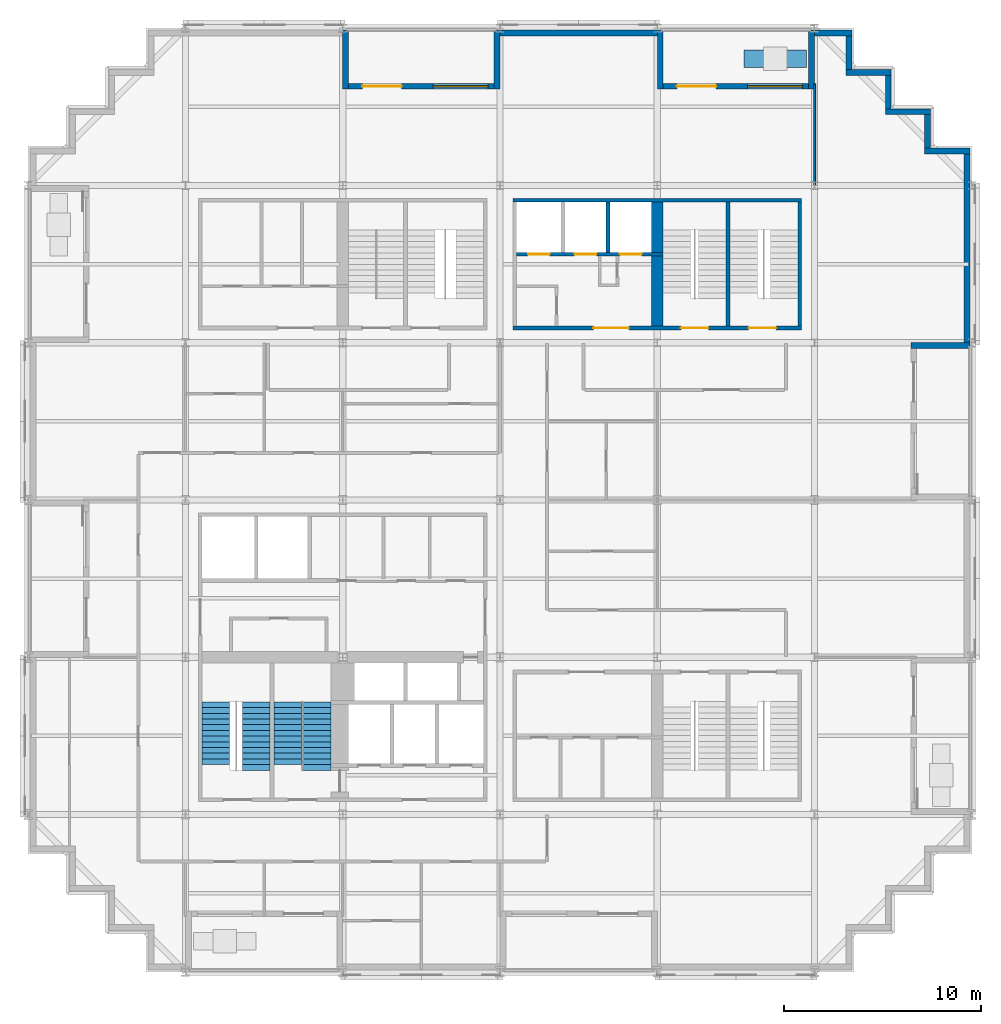
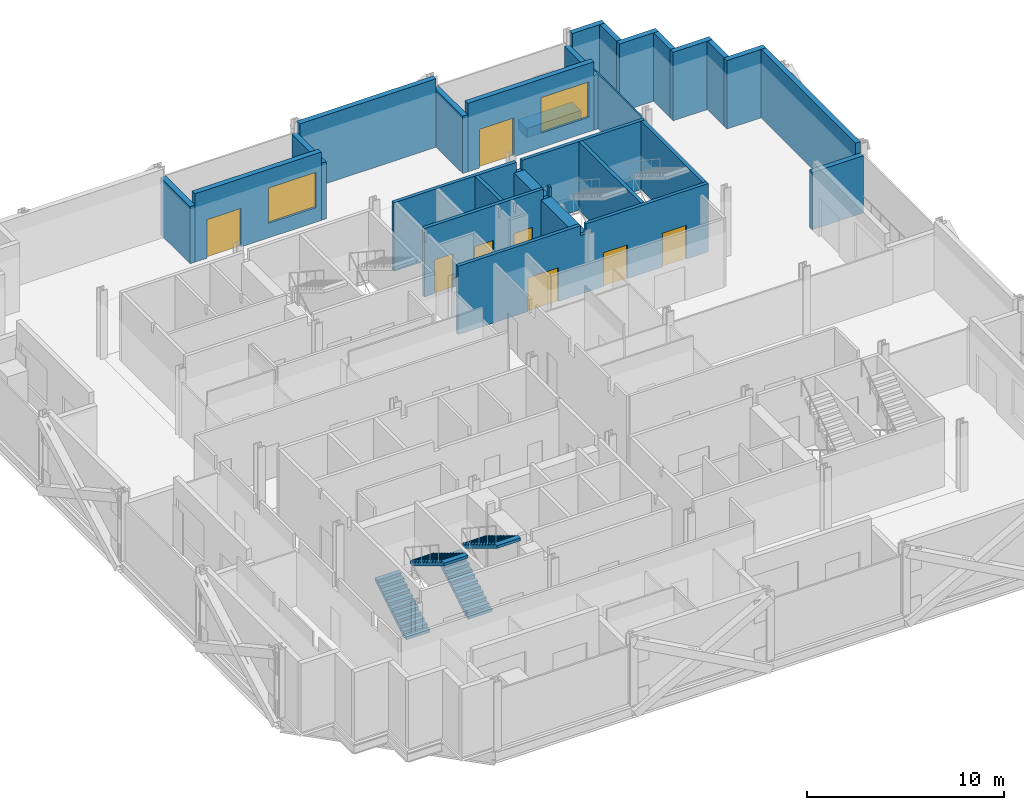
# One storey, part 9 of 13: 26 walls, 8 doors, 4 stair flights, 2 windows, 10 openings, 2 elements without a shape of their own.
"""IFC4 building model written with IfcOpenShell, lengths in metres."""

from ifc_helpers import new_model, si_unit, direction, frame, frame_2d, origin, place, context, subcontext, project, spatial, polyline, rectangle, outline, extrude, material, layer, layer_set, type_object, element, fill, aggregate, save


model = new_model("IFC4")

# Units and contexts
model_context = context("Model", 3, precision=1e-05, world=origin(), true_north=direction((0.0, 1.0)))
body_context = subcontext(model_context, "Body", "Model", "MODEL_VIEW")
ifc_project = project(units=[si_unit("LENGTHUNIT", "METRE"), si_unit("AREAUNIT", "SQUARE_METRE"), si_unit("VOLUMEUNIT", "CUBIC_METRE"), si_unit("PLANEANGLEUNIT", "RADIAN"), si_unit("MASSUNIT", "GRAM", prefix="KILO")], contexts=[model_context])

# Site, building, storey
site_placement = place(None, origin())
site = spatial("IfcSite", under=ifc_project, at=site_placement, CompositionType="ELEMENT")
building_placement = place(site_placement, origin())
building = spatial("IfcBuilding", under=site, at=building_placement, Name="Immortelle Media Tower", CompositionType="ELEMENT")
storey_placement = place(building_placement, frame((0.0, 0.0, 34.800048828125)))
storey = spatial("IfcBuildingStorey", under=building, at=storey_placement, Name="L04", CompositionType="ELEMENT", Elevation=34.800048828125)

# Wall, openings, doors
ifc_material_1 = material(Name="Fire-rated gypsum board", Category="gypsum")
ifc_layer_1 = layer(ifc_material_1, 0.03759765625)
ifc_material_2 = material(Name="Steel ASTM A653 SS Gr 50 stud frame with mineral wool", Category="steel")
ifc_layer_2 = layer(ifc_material_2, 0.125)
ifc_layer_3 = layer(ifc_material_1, 0.03759765625)
ifc_layer_set_1 = layer_set([ifc_layer_1, ifc_layer_2, ifc_layer_3], Name="Steel ASTM A653 SS Gr 50 stud frame with mineral wool")
wall_type_1 = type_object("IfcWallType", Name="Core shaft wall 200", PredefinedType="PARTITIONING", material=ifc_layer_set_1)
wall_1_placement = place(storey_placement, frame((24.85009765625, 36.5, 0.0), z_axis=(0.0, 0.0, 1.0), x_axis=(1.0, 0.0, 0.0)))
wall_1 = element("IfcWall", 1, at=wall_1_placement, inside=storey, type_object=wall_type_1, Name="Core shaft wall NE", PredefinedType="PARTITIONING", context=body_context, shape_type="SweptSolid", body=[
    extrude(outline(polyline([(0.0, 0.0), (7.449951171875, 0.0), (7.449951171875, 4.25), (7.31689453125, 4.25), (7.31591796875, 3.6318359375), (6.98388671875, 3.6318359375), (6.98291015625, 4.25), (0.0, 4.25), (0.0, 0.0)])), frame((0.0, 0.10009765625, 0.0), z_axis=(0.0, -1.0, 0.0), x_axis=(1.0, 0.0, 0.0)), (0.0, 0.0, 1.0), 0.199951171875),
])
opening_1_placement = place(wall_1_placement, frame((0.574951171875, 0.0, 0.0)))
opening_1 = element("IfcOpeningElement", 2, at=opening_1_placement, cuts=wall_1, Name="Opening LD", PredefinedType="OPENING", context=body_context, shape_type="SweptSolid", body=[
    extrude(rectangle(XDim=1.10009765625, YDim=2.10009765625, at=frame_2d((0.550048828125, 1.050048828125))), frame((0.0, 0.10986328125, 0.0), z_axis=(0.0, -1.0, 0.0), x_axis=(1.0, 0.0, 0.0)), (0.0, 0.0, 1.0), 0.219970703125),
])
opening_2_placement = place(wall_1_placement, frame((2.949951171875, 0.0, 0.0)))
opening_2 = element("IfcOpeningElement", 3, at=opening_2_placement, cuts=wall_1, Name="Opening LD", PredefinedType="OPENING", context=body_context, shape_type="SweptSolid", body=[
    extrude(rectangle(XDim=1.10009765625, YDim=2.10009765625, at=frame_2d((0.550048828125, 1.050048828125))), frame((0.0, 0.10986328125, 0.0), z_axis=(0.0, -1.0, 0.0), x_axis=(1.0, 0.0, 0.0)), (0.0, 0.0, 1.0), 0.219970703125),
])
opening_3_placement = place(wall_1_placement, frame((5.25, 0.0, 0.0)))
opening_3 = element("IfcOpeningElement", 4, at=opening_3_placement, cuts=wall_1, Name="Opening LD", PredefinedType="OPENING", context=body_context, shape_type="SweptSolid", body=[
    extrude(rectangle(XDim=1.10009765625, YDim=2.10009765625, at=frame_2d((0.550048828125, 1.050048828125))), frame((0.0, 0.10986328125, 0.0), z_axis=(0.0, -1.0, 0.0), x_axis=(1.0, 0.0, 0.0)), (0.0, 0.0, 1.0), 0.219970703125),
])
ifc_material_3 = material(Name="Stainless steel AISI 304", Category="steel")
door_type_1 = type_object("IfcDoorType", Name="Landing door 1100 x 2100", OperationType="SLIDING_TO_LEFT", PredefinedType="NOTDEFINED", material=ifc_material_3)
door_1_placement = place(opening_1_placement, origin())
door_1 = element("IfcDoor", 5, at=door_1_placement, inside=storey, type_object=door_type_1, Name="Landing door LR1 L04", OperationType="SLIDING_TO_LEFT", OverallHeight=2.10009765625, OverallWidth=1.10009765625, PredefinedType="NOTDEFINED", context=body_context, shape_type="SweptSolid", body=[
    extrude(rectangle(XDim=1.10009765625, YDim=2.10009765625, at=frame_2d((0.550048828125, 1.050048828125))), frame((0.0, 0.02490234375, 0.0), z_axis=(0.0, -1.0, 0.0), x_axis=(1.0, 0.0, 0.0)), (0.0, 0.0, 1.0), 0.050048828125),
])
fill(opening_1, door_1)
door_2_placement = place(opening_2_placement, origin())
door_2 = element("IfcDoor", 6, at=door_2_placement, inside=storey, type_object=door_type_1, Name="Landing door LR2 L04", OperationType="SLIDING_TO_LEFT", OverallHeight=2.10009765625, OverallWidth=1.10009765625, PredefinedType="NOTDEFINED", context=body_context, shape_type="SweptSolid", body=[
    extrude(rectangle(XDim=1.10009765625, YDim=2.10009765625, at=frame_2d((0.550048828125, 1.050048828125))), frame((0.0, 0.02490234375, 0.0), z_axis=(0.0, -1.0, 0.0), x_axis=(1.0, 0.0, 0.0)), (0.0, 0.0, 1.0), 0.050048828125),
])
fill(opening_2, door_2)
door_3_placement = place(opening_3_placement, origin())
door_3 = element("IfcDoor", 7, at=door_3_placement, inside=storey, type_object=door_type_1, Name="Landing door LR3 L04", OperationType="SLIDING_TO_LEFT", OverallHeight=2.10009765625, OverallWidth=1.10009765625, PredefinedType="NOTDEFINED", context=body_context, shape_type="SweptSolid", body=[
    extrude(rectangle(XDim=1.10009765625, YDim=2.10009765625, at=frame_2d((0.550048828125, 1.050048828125))), frame((0.0, 0.02490234375, 0.0), z_axis=(0.0, -1.0, 0.0), x_axis=(1.0, 0.0, 0.0)), (0.0, 0.0, 1.0), 0.050048828125),
])
fill(opening_3, door_3)

# Walls
wall_2_placement = place(storey_placement, frame((29.5, 36.60009765625, 0.0), z_axis=(0.0, 0.0, 1.0), x_axis=(0.0, 1.0, 0.0)))
element("IfcWall", 8, at=wall_2_placement, inside=storey, type_object=wall_type_1, Name="Core shaft wall NE", PredefinedType="PARTITIONING", context=body_context, shape_type="SweptSolid", body=[
    extrude(rectangle(XDim=2.5498046875, YDim=0.199951171875, at=frame_2d((1.27490234375, 0.0))), origin(), (0.0, 0.0, 1.0), 4.25),
])
ifc_material_4 = material(Name="Pale aluminium cladding panel", Category="aluminium")
ifc_layer_4 = layer(ifc_material_4, 0.030029296875)
ifc_layer_5 = layer(ifc_material_2, 0.257568359375)
ifc_material_5 = material(Name="Moisture-resistant gypsum board", Category="gypsum")
ifc_layer_6 = layer(ifc_material_5, 0.012451171875)
ifc_layer_set_2 = layer_set([ifc_layer_4, ifc_layer_5, ifc_layer_6], Name="Steel ASTM A653 SS Gr 50 stud frame with mineral wool")
wall_type_2 = type_object("IfcWallType", Name="Facade wall 300", PredefinedType="SOLIDWALL", material=ifc_layer_set_2)
wall_3_placement = place(storey_placement, frame((47.89990234375, 31.85009765625, 0.0), z_axis=(0.0, 0.0, 1.0), x_axis=(-1.0, 0.0, 0.0)))
element("IfcWall", 9, at=wall_3_placement, inside=storey, type_object=wall_type_2, Name="Loggia cheek wall L04 E", PredefinedType="SOLIDWALL", context=body_context, shape_type="SweptSolid", body=[
    extrude(rectangle(XDim=3.0, YDim=0.300048828125, at=frame_2d((1.5, 0.0))), origin(), (0.0, 0.0, 1.0), 3.552978515625),
])
wall_4_placement = place(storey_placement, frame((47.75, 32.0, 0.0), z_axis=(0.0, 0.0, 1.0), x_axis=(0.0, 1.0, 0.0)))
element("IfcWall", 10, at=wall_4_placement, inside=storey, type_object=wall_type_2, Name="Facade wall L04 E14", PredefinedType="SOLIDWALL", context=body_context, shape_type="SweptSolid", body=[
    extrude(rectangle(XDim=9.60009765625, YDim=0.300048828125, at=frame_2d((4.800048828125, 0.0))), origin(), (0.0, 0.0, 1.0), 4.25),
])
wall_5_placement = place(storey_placement, frame((47.89990234375, 41.75, 0.0), z_axis=(0.0, 0.0, 1.0), x_axis=(-1.0, 0.0, 0.0)))
element("IfcWall", 11, at=wall_5_placement, inside=storey, type_object=wall_type_2, Name="Facade wall L04 N15", PredefinedType="SOLIDWALL", context=body_context, shape_type="SweptSolid", body=[
    extrude(rectangle(XDim=2.2998046875, YDim=0.300048828125, at=frame_2d((1.14990234375, 0.0))), origin(), (0.0, 0.0, 1.0), 4.25),
])
wall_6_placement = place(storey_placement, frame((45.75, 41.89990234375, 0.0), z_axis=(0.0, 0.0, 1.0), x_axis=(0.0, 1.0, 0.0)))
element("IfcWall", 12, at=wall_6_placement, inside=storey, type_object=wall_type_2, Name="Facade wall L04 E16", PredefinedType="SOLIDWALL", context=body_context, shape_type="SweptSolid", body=[
    extrude(rectangle(XDim=1.7001953125, YDim=0.300048828125, at=frame_2d((0.85009765625, 0.0))), origin(), (0.0, 0.0, 1.0), 4.25),
])
wall_7_placement = place(storey_placement, frame((45.89990234375, 43.75, 0.0), z_axis=(0.0, 0.0, 1.0), x_axis=(-1.0, 0.0, 0.0)))
element("IfcWall", 13, at=wall_7_placement, inside=storey, type_object=wall_type_2, Name="Facade wall L04 N17", PredefinedType="SOLIDWALL", context=body_context, shape_type="SweptSolid", body=[
    extrude(rectangle(XDim=2.2998046875, YDim=0.300048828125, at=frame_2d((1.14990234375, 0.0))), origin(), (0.0, 0.0, 1.0), 4.25),
])
wall_8_placement = place(storey_placement, frame((43.75, 43.89990234375, 0.0), z_axis=(0.0, 0.0, 1.0), x_axis=(0.0, 1.0, 0.0)))
element("IfcWall", 14, at=wall_8_placement, inside=storey, type_object=wall_type_2, Name="Facade wall L04 E18", PredefinedType="SOLIDWALL", context=body_context, shape_type="SweptSolid", body=[
    extrude(rectangle(XDim=1.7001953125, YDim=0.300048828125, at=frame_2d((0.85009765625, 0.0))), origin(), (0.0, 0.0, 1.0), 4.25),
])
wall_9_placement = place(storey_placement, frame((43.89990234375, 45.75, 0.0), z_axis=(0.0, 0.0, 1.0), x_axis=(-1.0, 0.0, 0.0)))
element("IfcWall", 15, at=wall_9_placement, inside=storey, type_object=wall_type_2, Name="Facade wall L04 N19", PredefinedType="SOLIDWALL", context=body_context, shape_type="SweptSolid", body=[
    extrude(rectangle(XDim=2.2998046875, YDim=0.300048828125, at=frame_2d((1.14990234375, 0.0))), origin(), (0.0, 0.0, 1.0), 4.25),
])
wall_10_placement = place(storey_placement, frame((41.75, 45.89990234375, 0.0), z_axis=(0.0, 0.0, 1.0), x_axis=(0.0, 1.0, 0.0)))
element("IfcWall", 16, at=wall_10_placement, inside=storey, type_object=wall_type_2, Name="Facade wall L04 E20", PredefinedType="SOLIDWALL", context=body_context, shape_type="SweptSolid", body=[
    extrude(rectangle(XDim=1.7001953125, YDim=0.300048828125, at=frame_2d((0.85009765625, 0.0))), origin(), (0.0, 0.0, 1.0), 4.25),
])
wall_11_placement = place(storey_placement, frame((41.89990234375, 47.75, 0.0), z_axis=(0.0, 0.0, 1.0), x_axis=(-1.0, 0.0, 0.0)))
element("IfcWall", 17, at=wall_11_placement, inside=storey, type_object=wall_type_2, Name="Facade wall L04 N21", PredefinedType="SOLIDWALL", context=body_context, shape_type="SweptSolid", body=[
    extrude(rectangle(XDim=1.89990234375, YDim=0.300048828125, at=frame_2d((0.949951171875, 0.0))), origin(), (0.0, 0.0, 1.0), 4.25),
])

# Wall, openings, door, window
wall_12_placement = place(storey_placement, frame((39.699951171875, 45.050048828125, 0.0), z_axis=(0.0, 0.0, 1.0), x_axis=(-1.0, 0.0, 0.0)))
wall_12 = element("IfcWall", 18, at=wall_12_placement, inside=storey, type_object=wall_type_2, Name="Loggia wall L04 N21", PredefinedType="SOLIDWALL", context=body_context, shape_type="SweptSolid", body=[
    extrude(rectangle(XDim=7.39990234375, YDim=0.300048828125, at=frame_2d((3.699951171875, 0.0))), origin(), (0.0, 0.0, 1.0), 4.25),
])
opening_4_placement = place(wall_12_placement, frame((0.300048828125, 0.0, 0.89990234375)))
opening_4 = element("IfcOpeningElement", 19, at=opening_4_placement, cuts=wall_12, Name="Opening W1", PredefinedType="OPENING", context=body_context, shape_type="SweptSolid", body=[
    extrude(rectangle(XDim=2.800048828125, YDim=2.199951171875, at=frame_2d((1.39990234375, 1.10009765625))), frame((0.0, 0.159912109375, 0.0), z_axis=(0.0, -1.0, 0.0), x_axis=(1.0, 0.0, 0.0)), (0.0, 0.0, 1.0), 0.320068359375),
])
opening_5_placement = place(wall_12_placement, frame((4.699951171875, 0.0, 0.0)))
opening_5 = element("IfcOpeningElement", 20, at=opening_5_placement, cuts=wall_12, Name="Opening N1-E007", PredefinedType="OPENING", context=body_context, shape_type="SweptSolid", body=[
    extrude(rectangle(XDim=2.0, YDim=2.39990234375, at=frame_2d((1.0, 1.199951171875))), frame((0.0, 0.159912109375, 0.0), z_axis=(0.0, -1.0, 0.0), x_axis=(1.0, 0.0, 0.0)), (0.0, 0.0, 1.0), 0.320068359375),
])
ifc_material_6 = material(Name="Aluminium frame, glazed leaves", Category="aluminium")
door_type_2 = type_object("IfcDoorType", Name="Loggia door 2000 x 2400", OperationType="DOUBLE_DOOR_SINGLE_SWING", PredefinedType="DOOR", material=ifc_material_6)
door_4_placement = place(opening_5_placement, origin())
door_4 = element("IfcDoor", 21, at=door_4_placement, inside=storey, type_object=door_type_2, Name="Door N1-E007", OperationType="DOUBLE_DOOR_SINGLE_SWING", OverallHeight=2.39990234375, OverallWidth=2.0, PredefinedType="DOOR", context=body_context, shape_type="SweptSolid", body=[
    extrude(rectangle(XDim=2.0, YDim=2.39990234375, at=frame_2d((1.0, 1.199951171875))), frame((0.0, 0.02490234375, 0.0), z_axis=(0.0, -1.0, 0.0), x_axis=(1.0, 0.0, 0.0)), (0.0, 0.0, 1.0), 0.050048828125),
])
fill(opening_5, door_4)
ifc_material_7 = material(Name="Aluminium frame", Category="aluminium")
window_type = type_object("IfcWindowType", Name="Window 2800 x 2200", PartitioningType="SINGLE_PANEL", PredefinedType="WINDOW", material=ifc_material_7)
window_1_placement = place(opening_4_placement, origin())
window_1 = element("IfcWindow", 22, at=window_1_placement, inside=storey, type_object=window_type, Name="Window L04 L04-R21-B0", OverallHeight=2.199951171875, OverallWidth=2.800048828125, PartitioningType="SINGLE_PANEL", PredefinedType="WINDOW", context=body_context, shape_type="SweptSolid", body=[
    extrude(rectangle(XDim=2.800048828125, YDim=2.199951171875, at=frame_2d((1.39990234375, 1.10009765625))), frame((0.0, 0.030029296875, 0.0), z_axis=(0.0, -1.0, 0.0), x_axis=(1.0, 0.0, 0.0)), (0.0, 0.0, 1.0), 0.06005859375),
])
fill(opening_4, window_1)

# Walls
wall_13_placement = place(storey_placement, frame((39.85009765625, 47.89990234375, 0.0), z_axis=(0.0, 0.0, 1.0), x_axis=(0.0, -1.0, 0.0)))
element("IfcWall", 23, at=wall_13_placement, inside=storey, type_object=wall_type_2, Name="Loggia cheek wall L04 N", PredefinedType="SOLIDWALL", context=body_context, shape_type="SweptSolid", body=[
    extrude(rectangle(XDim=3.0, YDim=0.300048828125, at=frame_2d((1.5, 0.0))), origin(), (0.0, 0.0, 1.0), 3.389892578125),
])
wall_14_placement = place(storey_placement, frame((32.14990234375, 47.89990234375, 0.0), z_axis=(0.0, 0.0, 1.0), x_axis=(0.0, -1.0, 0.0)))
element("IfcWall", 24, at=wall_14_placement, inside=storey, type_object=wall_type_2, Name="Loggia cheek wall L04 N", PredefinedType="SOLIDWALL", context=body_context, shape_type="SweptSolid", body=[
    extrude(rectangle(XDim=3.0, YDim=0.300048828125, at=frame_2d((1.5, 0.0))), origin(), (0.0, 0.0, 1.0), 3.552978515625),
])
wall_15_placement = place(storey_placement, frame((32.0, 47.75, 0.0), z_axis=(0.0, 0.0, 1.0), x_axis=(-1.0, 0.0, 0.0)))
element("IfcWall", 25, at=wall_15_placement, inside=storey, type_object=wall_type_2, Name="Facade wall L04 N21", PredefinedType="SOLIDWALL", context=body_context, shape_type="SweptSolid", body=[
    extrude(rectangle(XDim=8.0, YDim=0.300048828125, at=frame_2d((4.0, 0.0))), origin(), (0.0, 0.0, 1.0), 4.25),
])

# Wall, openings, door, window
wall_16_placement = place(storey_placement, frame((23.699951171875, 45.050048828125, 0.0), z_axis=(0.0, 0.0, 1.0), x_axis=(-1.0, 0.0, 0.0)))
wall_16 = element("IfcWall", 26, at=wall_16_placement, inside=storey, type_object=wall_type_2, Name="Loggia wall L04 N21", PredefinedType="SOLIDWALL", context=body_context, shape_type="SweptSolid", body=[
    extrude(rectangle(XDim=7.39990234375, YDim=0.300048828125, at=frame_2d((3.699951171875, 0.0))), origin(), (0.0, 0.0, 1.0), 4.25),
])
opening_6_placement = place(wall_16_placement, frame((0.300048828125, 0.0, 0.89990234375)))
opening_6 = element("IfcOpeningElement", 27, at=opening_6_placement, cuts=wall_16, Name="Opening W1", PredefinedType="OPENING", context=body_context, shape_type="SweptSolid", body=[
    extrude(rectangle(XDim=2.800048828125, YDim=2.199951171875, at=frame_2d((1.39990234375, 1.10009765625))), frame((0.0, 0.159912109375, 0.0), z_axis=(0.0, -1.0, 0.0), x_axis=(1.0, 0.0, 0.0)), (0.0, 0.0, 1.0), 0.320068359375),
])
opening_7_placement = place(wall_16_placement, frame((4.699951171875, 0.0, 0.0)))
opening_7 = element("IfcOpeningElement", 28, at=opening_7_placement, cuts=wall_16, Name="Opening N1-E008", PredefinedType="OPENING", context=body_context, shape_type="SweptSolid", body=[
    extrude(rectangle(XDim=2.0, YDim=2.39990234375, at=frame_2d((1.0, 1.199951171875))), frame((0.0, 0.159912109375, 0.0), z_axis=(0.0, -1.0, 0.0), x_axis=(1.0, 0.0, 0.0)), (0.0, 0.0, 1.0), 0.320068359375),
])
door_5_placement = place(opening_7_placement, origin())
door_5 = element("IfcDoor", 29, at=door_5_placement, inside=storey, type_object=door_type_2, Name="Door N1-E008", OperationType="DOUBLE_DOOR_SINGLE_SWING", OverallHeight=2.39990234375, OverallWidth=2.0, PredefinedType="DOOR", context=body_context, shape_type="SweptSolid", body=[
    extrude(rectangle(XDim=2.0, YDim=2.39990234375, at=frame_2d((1.0, 1.199951171875))), frame((0.0, 0.02490234375, 0.0), z_axis=(0.0, -1.0, 0.0), x_axis=(1.0, 0.0, 0.0)), (0.0, 0.0, 1.0), 0.050048828125),
])
fill(opening_7, door_5)
window_2_placement = place(opening_6_placement, origin())
window_2 = element("IfcWindow", 30, at=window_2_placement, inside=storey, type_object=window_type, Name="Window L04 L04-R21-B2", OverallHeight=2.199951171875, OverallWidth=2.800048828125, PartitioningType="SINGLE_PANEL", PredefinedType="WINDOW", context=body_context, shape_type="SweptSolid", body=[
    extrude(rectangle(XDim=2.800048828125, YDim=2.199951171875, at=frame_2d((1.39990234375, 1.10009765625))), frame((0.0, 0.030029296875, 0.0), z_axis=(0.0, -1.0, 0.0), x_axis=(1.0, 0.0, 0.0)), (0.0, 0.0, 1.0), 0.06005859375),
])
fill(opening_6, window_2)

# Walls
for number, where, z_axis, x_axis, name in (
    (31, (23.85009765625, 47.89990234375, 0.0), (0.0, 0.0, 1.0), (0.0, -1.0, 0.0), "Loggia cheek wall L04 N"),
    (32, (16.14990234375, 47.89990234375, 0.0), (0.0, 0.0, 1.0), (0.0, -1.0, 0.0), "Loggia cheek wall L04 N"),
):
    element("IfcWall", number, at=place(storey_placement, frame(where, z_axis=z_axis, x_axis=x_axis)), inside=storey, type_object=wall_type_2, Name=name, PredefinedType="SOLIDWALL", context=body_context, shape_type="SweptSolid", body=[
        extrude(rectangle(XDim=3.0, YDim=0.300048828125, at=frame_2d((1.5, 0.0))), origin(), (0.0, 0.0, 1.0), 3.552978515625),
    ])
ifc_material_8 = material(Name="Gypsum board", Category="gypsum")
ifc_layer_7 = layer(ifc_material_8, 0.012451171875)
ifc_layer_8 = layer(ifc_material_2, 0.074951171875)
ifc_layer_9 = layer(ifc_material_8, 0.012451171875)
ifc_layer_set_3 = layer_set([ifc_layer_7, ifc_layer_8, ifc_layer_9], Name="Steel ASTM A653 SS Gr 50 stud frame with mineral wool")
wall_type_3 = type_object("IfcWallType", Name="Partition 100", PredefinedType="PARTITIONING", material=ifc_layer_set_3)
wall_17_placement = place(storey_placement, frame((40.0, 40.030029296875, 0.0), z_axis=(0.0, 0.0, 1.0), x_axis=(0.0, 1.0, 0.0)))
element("IfcWall", 33, at=wall_17_placement, inside=storey, type_object=wall_type_3, Name="Partition L04-045", PredefinedType="PARTITIONING", context=body_context, shape_type="SweptSolid", body=[
    extrude(rectangle(XDim=5.139892578125, YDim=0.10009765625, at=frame_2d((2.56982421875, 0.0))), origin(), (0.0, 0.0, 1.0), 3.390869140625),
])
ifc_layer_10 = layer(ifc_material_4, 0.0029296875)
ifc_material_9 = material(Name="Steel ASTM A572 Gr 50 planter shell", Category="steel")
ifc_layer_11 = layer(ifc_material_9, 0.011962890625)
ifc_material_10 = material(Name="Planting substrate", Category="soil")
ifc_layer_12 = layer(ifc_material_10, 0.873046875)
ifc_layer_13 = layer(ifc_material_9, 0.011962890625)
ifc_layer_set_4 = layer_set([ifc_layer_10, ifc_layer_11, ifc_layer_12, ifc_layer_13], Name="Steel ASTM A572 Gr 50 planter shell")
wall_type_4 = type_object("IfcWallType", Name="Planter wall 900", PredefinedType="SOLIDWALL", material=ifc_layer_set_4)
wall_18_placement = place(storey_placement, frame((39.60009765625, 46.449951171875, 0.0), z_axis=(0.0, 0.0, 1.0), x_axis=(-1.0, 0.0, 0.0)))
element("IfcWall", 34, at=wall_18_placement, inside=storey, type_object=wall_type_4, Name="Planter L04 N0", PredefinedType="SOLIDWALL", context=body_context, shape_type="SweptSolid", body=[
    extrude(rectangle(XDim=3.2001953125, YDim=0.89990234375, at=frame_2d((1.60009765625, 0.0))), origin(), (0.0, 0.0, 1.0), 0.599853515625),
])

# Wall, openings, doors
ifc_material_11 = material(Name="Concrete C60", Category="concrete")
ifc_layer_14 = layer(ifc_material_11, 0.199951171875)
ifc_layer_set_5 = layer_set([ifc_layer_14], Name="Concrete C60")
wall_type_5 = type_object("IfcWallType", Name="Stair shaft wall 200", PredefinedType="PARTITIONING", material=ifc_layer_set_5)
wall_19_placement = place(storey_placement, frame((24.64990234375, 32.75, 0.0), z_axis=(0.0, 0.0, 1.0), x_axis=(1.0, 0.0, 0.0)))
wall_19 = element("IfcWall", 35, at=wall_19_placement, inside=storey, type_object=wall_type_5, Name="Stair shaft wall NE", PredefinedType="PARTITIONING", context=body_context, shape_type="SweptSolid", body=[
    extrude(outline(polyline([(0.0, 0.0), (14.7001953125, 0.0), (14.699951171875, 4.25), (7.51708984375, 4.25), (7.51611328125, 3.6318359375), (7.18408203125, 3.6318359375), (7.18310546875, 4.25), (0.0, 4.25), (0.0, 0.0)])), frame((0.0, 0.10009765625, 0.0), z_axis=(0.0, -1.0, 0.0), x_axis=(1.0, 0.0, 0.0)), (0.0, 0.0, 1.0), 0.199951171875),
])
opening_8_placement = place(wall_19_placement, frame((4.10009765625, 0.0, 0.0)))
opening_8 = element("IfcOpeningElement", 36, at=opening_8_placement, cuts=wall_19, Name="Opening N1-K030", PredefinedType="OPENING", context=body_context, shape_type="SweptSolid", body=[
    extrude(rectangle(XDim=1.800048828125, YDim=2.10009765625, at=frame_2d((0.89990234375, 1.050048828125))), frame((0.0, 0.10986328125, 0.0), z_axis=(0.0, -1.0, 0.0), x_axis=(1.0, 0.0, 0.0)), (0.0, 0.0, 1.0), 0.219970703125),
])
opening_9_placement = place(wall_19_placement, frame((8.550048828125, 0.0, 0.0)))
opening_9 = element("IfcOpeningElement", 37, at=opening_9_placement, cuts=wall_19, Name="Opening N1-K033", PredefinedType="OPENING", context=body_context, shape_type="SweptSolid", body=[
    extrude(rectangle(XDim=1.39990234375, YDim=2.10009765625, at=frame_2d((0.699951171875, 1.050048828125))), frame((0.0, 0.10986328125, 0.0), z_axis=(0.0, -1.0, 0.0), x_axis=(1.0, 0.0, 0.0)), (0.0, 0.0, 1.0), 0.219970703125),
])
opening_10_placement = place(wall_19_placement, frame((12.0, 0.0, 0.0)))
opening_10 = element("IfcOpeningElement", 38, at=opening_10_placement, cuts=wall_19, Name="Opening N1-K034", PredefinedType="OPENING", context=body_context, shape_type="SweptSolid", body=[
    extrude(rectangle(XDim=1.39990234375, YDim=2.10009765625, at=frame_2d((0.699951171875, 1.050048828125))), frame((0.0, 0.10986328125, 0.0), z_axis=(0.0, -1.0, 0.0), x_axis=(1.0, 0.0, 0.0)), (0.0, 0.0, 1.0), 0.219970703125),
])
ifc_material_12 = material(Name="Galvanised steel door leaf and frame ASTM A653", Category="steel")
door_type_3 = type_object("IfcDoorType", Name="Lift lobby door 1800 x 2100", OperationType="DOUBLE_DOOR_SINGLE_SWING", PredefinedType="NOTDEFINED", material=ifc_material_12)
door_6_placement = place(opening_8_placement, origin())
door_6 = element("IfcDoor", 39, at=door_6_placement, inside=storey, type_object=door_type_3, Name="Lift lobby N1-K030", OperationType="DOUBLE_DOOR_SINGLE_SWING", OverallHeight=2.10009765625, OverallWidth=1.800048828125, PredefinedType="NOTDEFINED", context=body_context, shape_type="SweptSolid", body=[
    extrude(rectangle(XDim=1.800048828125, YDim=2.10009765625, at=frame_2d((0.89990234375, 1.050048828125))), frame((0.0, 0.02490234375, 0.0), z_axis=(0.0, -1.0, 0.0), x_axis=(1.0, 0.0, 0.0)), (0.0, 0.0, 1.0), 0.050048828125),
])
fill(opening_8, door_6)
door_type_4 = type_object("IfcDoorType", Name="Stair door 1400 x 2100", OperationType="DOUBLE_DOOR_SINGLE_SWING", PredefinedType="NOTDEFINED", material=ifc_material_12)
door_7_placement = place(opening_9_placement, origin())
door_7 = element("IfcDoor", 40, at=door_7_placement, inside=storey, type_object=door_type_4, Name="Stair N1-K033", OperationType="DOUBLE_DOOR_SINGLE_SWING", OverallHeight=2.10009765625, OverallWidth=1.39990234375, PredefinedType="NOTDEFINED", context=body_context, shape_type="SweptSolid", body=[
    extrude(rectangle(XDim=1.39990234375, YDim=2.10009765625, at=frame_2d((0.699951171875, 1.050048828125))), frame((0.0, 0.02490234375, 0.0), z_axis=(0.0, -1.0, 0.0), x_axis=(1.0, 0.0, 0.0)), (0.0, 0.0, 1.0), 0.050048828125),
])
fill(opening_9, door_7)
door_8_placement = place(opening_10_placement, origin())
door_8 = element("IfcDoor", 41, at=door_8_placement, inside=storey, type_object=door_type_4, Name="Stair N1-K034", OperationType="DOUBLE_DOOR_SINGLE_SWING", OverallHeight=2.10009765625, OverallWidth=1.39990234375, PredefinedType="NOTDEFINED", context=body_context, shape_type="SweptSolid", body=[
    extrude(rectangle(XDim=1.39990234375, YDim=2.10009765625, at=frame_2d((0.699951171875, 1.050048828125))), frame((0.0, 0.02490234375, 0.0), z_axis=(0.0, -1.0, 0.0), x_axis=(1.0, 0.0, 0.0)), (0.0, 0.0, 1.0), 0.050048828125),
])
fill(opening_10, door_8)

# Walls
wall_20_placement = place(storey_placement, frame((24.64990234375, 39.25, 0.0), z_axis=(0.0, 0.0, 1.0), x_axis=(1.0, 0.0, 0.0)))
element("IfcWall", 42, at=wall_20_placement, inside=storey, type_object=wall_type_5, Name="Stair shaft wall NE", PredefinedType="PARTITIONING", context=body_context, shape_type="SweptSolid", body=[
    extrude(outline(polyline([(0.0, 0.0), (14.7001953125, 0.0), (14.699951171875, 4.25), (7.51708984375, 4.25), (7.51611328125, 3.6318359375), (7.18408203125, 3.6318359375), (7.18310546875, 4.25), (0.0, 4.25), (0.0, 0.0)])), frame((0.0, 0.10009765625, 0.0), z_axis=(0.0, -1.0, 0.0), x_axis=(1.0, 0.0, 0.0)), (0.0, 0.0, 1.0), 0.199951171875),
])
for number, where, z_axis, x_axis, name in (
    (43, (35.60009765625, 32.85009765625, 0.0), (0.0, 0.0, 1.0), (0.0, 1.0, 0.0), "Stair shaft wall NE"),
    (44, (39.25, 32.85009765625, 0.0), (0.0, 0.0, 1.0), (0.0, 1.0, 0.0), "Stair shaft wall NE"),
):
    element("IfcWall", number, at=place(storey_placement, frame(where, z_axis=z_axis, x_axis=x_axis)), inside=storey, type_object=wall_type_5, Name=name, PredefinedType="PARTITIONING", context=body_context, shape_type="SweptSolid", body=[
        extrude(rectangle(XDim=6.2998046875, YDim=0.199951171875, at=frame_2d((3.14990234375, 0.0))), origin(), (0.0, 0.0, 1.0), 4.25),
    ])
ifc_layer_15 = layer(ifc_material_11, 0.60009765625)
ifc_layer_set_6 = layer_set([ifc_layer_15], Name="Concrete C60")
wall_type_6 = type_object("IfcWallType", Name="Stair shaft wall 600", PredefinedType="PARTITIONING", material=ifc_layer_set_6)
wall_21_placement = place(storey_placement, frame((32.0, 32.85009765625, 0.0), z_axis=(0.0, 0.0, 1.0), x_axis=(0.0, 1.0, 0.0)))
element("IfcWall", 45, at=wall_21_placement, inside=storey, type_object=wall_type_6, Name="Stair shaft wall NE", PredefinedType="PARTITIONING", context=body_context, shape_type="SweptSolid", body=[
    extrude(rectangle(XDim=3.5498046875, YDim=0.60009765625, at=frame_2d((1.77490234375, 0.0))), origin(), (0.0, 0.0, 1.0), 3.6318359375),
])
wall_22_placement = place(storey_placement, frame((32.0, 36.60009765625, 0.0), z_axis=(0.0, 0.0, 1.0), x_axis=(0.0, 1.0, 0.0)))
element("IfcWall", 46, at=wall_22_placement, inside=storey, type_object=wall_type_6, Name="Stair shaft wall NE", PredefinedType="PARTITIONING", context=body_context, shape_type="SweptSolid", body=[
    extrude(rectangle(XDim=2.5498046875, YDim=0.60009765625, at=frame_2d((1.27490234375, 0.0))), origin(), (0.0, 0.0, 1.0), 3.6318359375),
])

# Stair, stair flights
ifc_material_13 = material(Name="Steel ASTM A992 Gr 50", Category="steel")
stair_type = type_object("IfcStairType", Name="Stair with flights", PredefinedType="DOUBLE_RETURN_STAIR", material=ifc_material_13)
stair_1_placement = place(storey_placement, origin())
stair_1 = element("IfcStair", 47, at=stair_1_placement, inside=storey, type_object=stair_type, Name="Exit stair SW1", PredefinedType="DOUBLE_RETURN_STAIR")
stair_flight_type = type_object("IfcStairFlightType", Name="Stair flight 1400", PredefinedType="STRAIGHT", material=ifc_material_13)
stair_flight_1_placement = place(storey_placement, frame((9.550048828125, 10.5400390625, 0.0), z_axis=(0.0, 0.0, 1.0), x_axis=(0.0, 1.0, 0.0)))
stair_flight_1 = element("IfcStairFlight", 48, at=stair_flight_1_placement, type_object=stair_flight_type, Name="ST SW1 flight 1", NumberOfRisers=12, NumberOfTreads=11, PredefinedType="STRAIGHT", RiserHeight=0.176, TreadLength=0.29, context=body_context, shape_type="SweptSolid", body=[
    extrude(outline(polyline([(0.0, 0.0), (0.0, 0.176025390625), (0.2900390625, 0.176025390625), (0.2900390625, 0.35205078125), (0.580078125, 0.35205078125), (0.580078125, 0.528076171875), (0.8701171875, 0.528076171875), (0.8701171875, 0.7041015625), (1.159912109375, 0.7041015625), (1.159912109375, 0.8798828125), (1.449951171875, 0.8798828125), (1.449951171875, 1.055908203125), (1.739990234375, 1.055908203125), (1.739990234375, 1.23193359375), (2.030029296875, 1.23193359375), (2.030029296875, 1.407958984375), (2.320068359375, 1.407958984375), (2.320068359375, 1.583984375), (2.610107421875, 1.583984375), (2.610107421875, 1.760009765625), (2.89990234375, 1.760009765625), (2.89990234375, 1.93603515625), (3.18994140625, 1.93603515625), (3.18994140625, 2.112060546875), (3.18994140625, 1.7607421875), (0.288818359375, 0.0), (0.0, 0.0)])), frame((0.0, 0.699951171875, 0.0), z_axis=(0.0, -1.0, 0.0), x_axis=(1.0, 0.0, 0.0)), (0.0, 0.0, 1.0), 1.39990234375),
])
stair_flight_2_placement = place(storey_placement, frame((11.60009765625, 13.72998046875, 2.112060546875), z_axis=(0.0, 0.0, 1.0), x_axis=(0.0, -1.0, 0.0)))
stair_flight_2 = element("IfcStairFlight", 49, at=stair_flight_2_placement, type_object=stair_flight_type, Name="ST SW1 flight 2", NumberOfRisers=13, NumberOfTreads=12, PredefinedType="STRAIGHT", RiserHeight=0.176, TreadLength=0.29, context=body_context, shape_type="SweptSolid", body=[
    extrude(outline(polyline([(0.0, 0.0), (0.0, 0.176025390625), (0.2900390625, 0.176025390625), (0.2900390625, 0.35205078125), (0.580078125, 0.35205078125), (0.580078125, 0.528076171875), (0.8701171875, 0.528076171875), (0.8701171875, 0.7041015625), (1.159912109375, 0.7041015625), (1.159912109375, 0.8798828125), (1.449951171875, 0.8798828125), (1.449951171875, 1.055908203125), (1.739990234375, 1.055908203125), (1.739990234375, 1.23193359375), (2.030029296875, 1.23193359375), (2.030029296875, 1.407958984375), (2.320068359375, 1.407958984375), (2.320068359375, 1.583984375), (2.610107421875, 1.583984375), (2.610107421875, 1.760009765625), (2.89990234375, 1.760009765625), (2.89990234375, 1.93603515625), (3.18994140625, 1.93603515625), (3.18994140625, 2.112060546875), (3.47998046875, 2.112060546875), (3.47998046875, 2.2880859375), (3.47998046875, 1.936767578125), (0.288818359375, 0.0), (0.0, 0.0)])), frame((0.0, 0.699951171875, 0.0), z_axis=(0.0, -1.0, 0.0), x_axis=(1.0, 0.0, 0.0)), (0.0, 0.0, 1.0), 1.39990234375),
])
aggregate(stair_1, [stair_flight_1, stair_flight_2])

stair_2_placement = place(storey_placement, origin())
stair_2 = element("IfcStair", 50, at=stair_2_placement, inside=storey, type_object=stair_type, Name="Exit stair SW2", PredefinedType="DOUBLE_RETURN_STAIR")
stair_flight_3_placement = place(storey_placement, frame((13.199951171875, 10.5400390625, 0.0), z_axis=(0.0, 0.0, 1.0), x_axis=(0.0, 1.0, 0.0)))
stair_flight_3 = element("IfcStairFlight", 51, at=stair_flight_3_placement, type_object=stair_flight_type, Name="ST SW2 flight 1", NumberOfRisers=12, NumberOfTreads=11, PredefinedType="STRAIGHT", RiserHeight=0.176, TreadLength=0.29, context=body_context, shape_type="SweptSolid", body=[
    extrude(outline(polyline([(0.0, 0.0), (0.0, 0.176025390625), (0.2900390625, 0.176025390625), (0.2900390625, 0.35205078125), (0.580078125, 0.35205078125), (0.580078125, 0.528076171875), (0.8701171875, 0.528076171875), (0.8701171875, 0.7041015625), (1.159912109375, 0.7041015625), (1.159912109375, 0.8798828125), (1.449951171875, 0.8798828125), (1.449951171875, 1.055908203125), (1.739990234375, 1.055908203125), (1.739990234375, 1.23193359375), (2.030029296875, 1.23193359375), (2.030029296875, 1.407958984375), (2.320068359375, 1.407958984375), (2.320068359375, 1.583984375), (2.610107421875, 1.583984375), (2.610107421875, 1.760009765625), (2.89990234375, 1.760009765625), (2.89990234375, 1.93603515625), (3.18994140625, 1.93603515625), (3.18994140625, 2.112060546875), (3.18994140625, 1.7607421875), (0.288818359375, 0.0), (0.0, 0.0)])), frame((0.0, 0.699951171875, 0.0), z_axis=(0.0, -1.0, 0.0), x_axis=(1.0, 0.0, 0.0)), (0.0, 0.0, 1.0), 1.39990234375),
])
stair_flight_4_placement = place(storey_placement, frame((14.699951171875, 13.72998046875, 2.112060546875), z_axis=(0.0, 0.0, 1.0), x_axis=(0.0, -1.0, 0.0)))
stair_flight_4 = element("IfcStairFlight", 52, at=stair_flight_4_placement, type_object=stair_flight_type, Name="ST SW2 flight 2", NumberOfRisers=13, NumberOfTreads=12, PredefinedType="STRAIGHT", RiserHeight=0.176, TreadLength=0.29, context=body_context, shape_type="SweptSolid", body=[
    extrude(outline(polyline([(0.0, 0.0), (0.0, 0.176025390625), (0.2900390625, 0.176025390625), (0.2900390625, 0.35205078125), (0.580078125, 0.35205078125), (0.580078125, 0.528076171875), (0.8701171875, 0.528076171875), (0.8701171875, 0.7041015625), (1.159912109375, 0.7041015625), (1.159912109375, 0.8798828125), (1.449951171875, 0.8798828125), (1.449951171875, 1.055908203125), (1.739990234375, 1.055908203125), (1.739990234375, 1.23193359375), (2.030029296875, 1.23193359375), (2.030029296875, 1.407958984375), (2.320068359375, 1.407958984375), (2.320068359375, 1.583984375), (2.610107421875, 1.583984375), (2.610107421875, 1.760009765625), (2.89990234375, 1.760009765625), (2.89990234375, 1.93603515625), (3.18994140625, 1.93603515625), (3.18994140625, 2.112060546875), (3.47998046875, 2.112060546875), (3.47998046875, 2.2880859375), (3.47998046875, 1.936767578125), (0.288818359375, 0.0), (0.0, 0.0)])), frame((0.0, 0.699951171875, 0.0), z_axis=(0.0, -1.0, 0.0), x_axis=(1.0, 0.0, 0.0)), (0.0, 0.0, 1.0), 1.39990234375),
])
aggregate(stair_2, [stair_flight_3, stair_flight_4])

save(model, "model.ifc")
